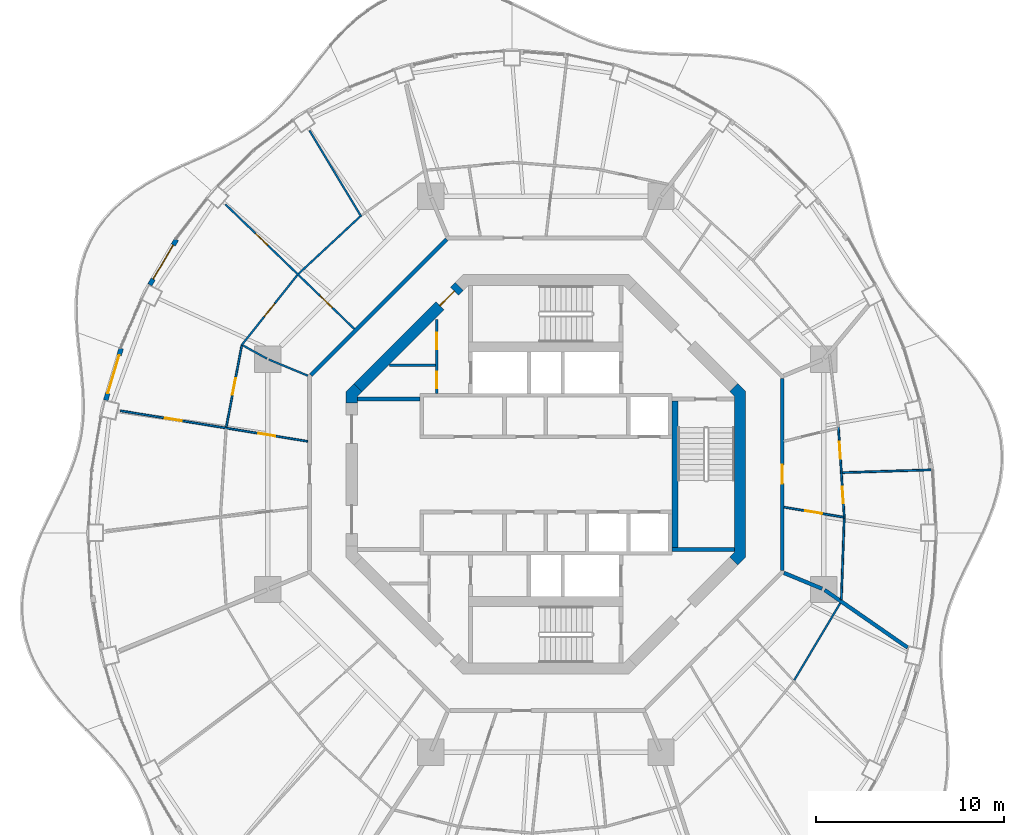
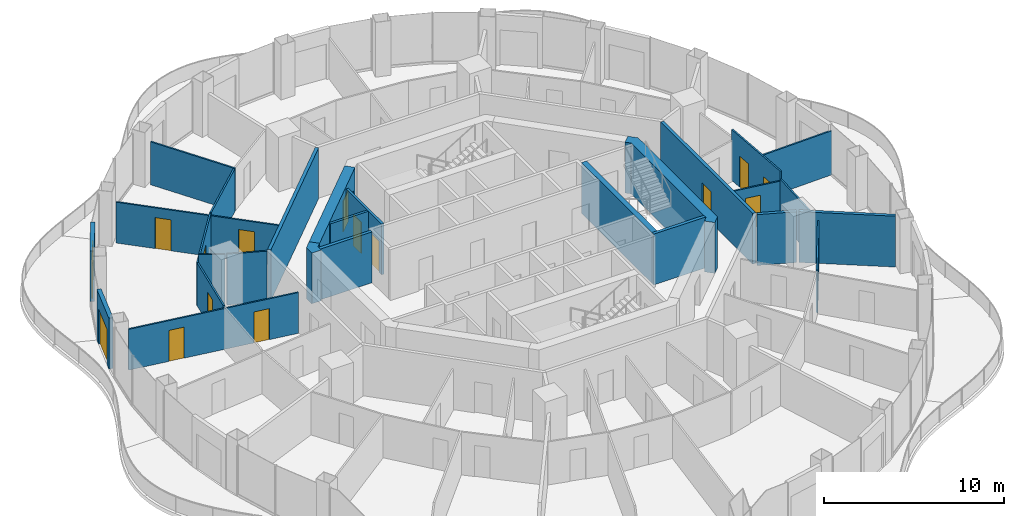
# One storey, part 12 of 17: 27 walls, 15 doors, 15 openings.
"""IFC4 building model written with IfcOpenShell, lengths in metres."""

from ifc_helpers import new_model, si_unit, direction, frame, frame_2d, origin, place, context, subcontext, project, spatial, polyline, rectangle, outline, extrude, material, layer, layer_set, type_object, element, fill, save


model = new_model("IFC4")

# Units and contexts
model_context = context("Model", 3, precision=1e-05, world=origin(), true_north=direction((0.0, 1.0)))
body_context = subcontext(model_context, "Body", "Model", "MODEL_VIEW")
ifc_project = project(units=[si_unit("LENGTHUNIT", "METRE"), si_unit("AREAUNIT", "SQUARE_METRE"), si_unit("VOLUMEUNIT", "CUBIC_METRE"), si_unit("PLANEANGLEUNIT", "RADIAN"), si_unit("MASSUNIT", "GRAM", prefix="KILO")], contexts=[model_context])

# Site, building, storey
site_placement = place(None, origin())
site = spatial("IfcSite", under=ifc_project, at=site_placement, CompositionType="ELEMENT")
building_placement = place(site_placement, origin())
building = spatial("IfcBuilding", under=site, at=building_placement, Name="Nagisa Residences", CompositionType="ELEMENT")
storey_placement = place(building_placement, frame((0.0, 0.0, 280.699951171875)))
storey = spatial("IfcBuildingStorey", under=building, at=storey_placement, Name="L71", CompositionType="ELEMENT", Elevation=280.699951171875)

# Walls
ifc_material_1 = material(Name="Gypsum board on steel studs", Category="steel")
ifc_layer_1 = layer(ifc_material_1, 0.199951171875)
ifc_layer_set_1 = layer_set([ifc_layer_1], Name="Apartment compartment wall EI60 200")
wall_type_1 = type_object("IfcWallType", Name="Apartment compartment wall EI60 200", PredefinedType="PARTITIONING", material=ifc_layer_set_1)
wall_1_placement = place(storey_placement, frame((12.6572265625, -5.24267578125, 0.0), z_axis=(0.0, 0.0, 1.0), x_axis=(0.92383017907, -0.382802560388, 0.0)))
element("IfcWall", 1, at=wall_1_placement, inside=storey, type_object=wall_type_1, Name="wall:L71:u12", PredefinedType="PARTITIONING", context=body_context, shape_type="SweptSolid", body=[
    extrude(rectangle(XDim=2.2001953125, YDim=0.199951171875, at=frame_2d((1.10009765625, 0.0))), origin(), (0.0, 0.0, 1.0), 3.43994140625),
])
wall_2_placement = place(storey_placement, frame((14.8232421875, -6.1513671875, 0.0), z_axis=(0.0, 0.0, 1.0), x_axis=(0.821435065081, -0.570302054928, 0.0)))
element("IfcWall", 2, at=wall_2_placement, inside=storey, type_object=wall_type_1, Name="wall:L71:u13", PredefinedType="PARTITIONING", context=body_context, shape_type="SweptSolid", body=[
    extrude(rectangle(XDim=5.3681640625, YDim=0.199951171875, at=frame_2d((2.68408203125, 0.0))), origin(), (0.0, 0.0, 1.0), 3.43994140625),
])

# Wall, opening, door
ifc_material_2 = material(Name="Gypsum board on steel studs", Category="steel")
ifc_layer_2 = layer(ifc_material_2, 0.199951171875)
ifc_layer_set_2 = layer_set([ifc_layer_2], Name="Apartment entry wall EI60 200")
wall_type_2 = type_object("IfcWallType", Name="Apartment entry wall EI60 200", PredefinedType="PARTITIONING", material=ifc_layer_set_2)
wall_3_placement = place(storey_placement, frame((12.564697265625, -5.1044921875, 0.0), z_axis=(0.0, 0.0, 1.0), x_axis=(0.0, 1.0, 0.0)))
wall_3 = element("IfcWall", 3, at=wall_3_placement, inside=storey, type_object=wall_type_2, Name="wall:L71:u14", PredefinedType="PARTITIONING", context=body_context, shape_type="SweptSolid", body=[
    extrude(rectangle(XDim=10.208984375, YDim=0.199951171875, at=frame_2d((5.1044921875, 0.0))), origin(), (0.0, 0.0, 1.0), 3.43994140625),
])
opening_1_placement = place(wall_3_placement, frame((4.6044921875, 0.0, 0.0)))
opening_1 = element("IfcOpeningElement", 4, at=opening_1_placement, cuts=wall_3, Name="Opening L71-U20", PredefinedType="OPENING", context=body_context, shape_type="SweptSolid", body=[
    extrude(rectangle(XDim=1.0, YDim=2.10009765625, at=frame_2d((0.5, 1.050048828125))), frame((0.0, 0.10986328125, 0.0), z_axis=(0.0, -1.0, 0.0), x_axis=(1.0, 0.0, 0.0)), (0.0, 0.0, 1.0), 0.219970703125),
])
ifc_material_3 = material(Name="Timber fire door set", Category="wood")
door_type_1 = type_object("IfcDoorType", Name="Apartment entry door FD30S 1000x2100", OperationType="NOTDEFINED", PredefinedType="DOOR", material=ifc_material_3)
door_1_placement = place(opening_1_placement, frame((1.0, 0.0, 0.0), x_axis=(-1.0, 0.0, 0.0)))
door_1 = element("IfcDoor", 5, at=door_1_placement, inside=storey, type_object=door_type_1, Name="Entry door, Apartment 71D", OperationType="SINGLE_SWING_LEFT", OverallHeight=2.10009765625, OverallWidth=1.0, PredefinedType="DOOR", context=body_context, shape_type="SweptSolid", body=[
    extrude(rectangle(XDim=1.0, YDim=2.10009765625, at=frame_2d((0.5, 1.050048828125))), frame((0.0, 0.02490234375, 0.0), z_axis=(0.0, -1.0, 0.0), x_axis=(1.0, 0.0, 0.0)), (0.0, 0.0, 1.0), 0.050048828125),
])
fill(opening_1, door_1)

# Wall
wall_4_placement = place(storey_placement, frame((-5.275146484375, 12.494140625, 0.0), z_axis=(0.0, 0.0, 1.0), x_axis=(-0.707106781187, -0.707106781187, 0.0)))
element("IfcWall", 6, at=wall_4_placement, inside=storey, type_object=wall_type_2, Name="wall:L71:u17", PredefinedType="PARTITIONING", context=body_context, shape_type="SweptSolid", body=[
    extrude(rectangle(XDim=10.209228515625, YDim=0.199951171875, at=frame_2d((5.1044921875, 0.0))), origin(), (0.0, 0.0, 1.0), 3.43994140625),
])

# Wall, opening, door
ifc_material_4 = material(Name="Gypsum board on steel studs", Category="steel")
ifc_layer_3 = layer(ifc_material_4, 0.10009765625)
ifc_layer_set_3 = layer_set([ifc_layer_3], Name="Apartment partition 100")
wall_type_3 = type_object("IfcWallType", Name="Apartment partition 100", PredefinedType="PARTITIONING", material=ifc_layer_set_3)
wall_5_placement = place(storey_placement, frame((12.663330078125, -1.75146484375, 0.0), z_axis=(0.0, 0.0, 1.0), x_axis=(0.98626156497, -0.165191178529, 0.0)))
wall_5 = element("IfcWall", 7, at=wall_5_placement, inside=storey, type_object=wall_type_3, Name="wall:L71:u22", PredefinedType="PARTITIONING", context=body_context, shape_type="SweptSolid", body=[
    extrude(rectangle(XDim=3.1982421875, YDim=0.10009765625, at=frame_2d((1.59912109375, 0.0))), origin(), (0.0, 0.0, 1.0), 2.761962890625),
])
opening_2_placement = place(wall_5_placement, frame((1.149169921875, 0.0, 0.0)))
opening_2 = element("IfcOpeningElement", 8, at=opening_2_placement, cuts=wall_5, Name="Opening L71-U21", PredefinedType="OPENING", context=body_context, shape_type="SweptSolid", body=[
    extrude(rectangle(XDim=0.89990234375, YDim=2.10009765625, at=frame_2d((0.449951171875, 1.050048828125))), frame((0.0, 0.06005859375, 0.0), z_axis=(0.0, -1.0, 0.0), x_axis=(1.0, 0.0, 0.0)), (0.0, 0.0, 1.0), 0.1201171875),
])
ifc_material_5 = material(Name="Timber door set", Category="wood")
door_type_2 = type_object("IfcDoorType", Name="Apartment door 900x2100", OperationType="NOTDEFINED", PredefinedType="DOOR", material=ifc_material_5)
door_2_placement = place(opening_2_placement, frame((0.89990234375, 0.0, 0.0), x_axis=(-1.0, 0.0, 0.0)))
door_2 = element("IfcDoor", 9, at=door_2_placement, inside=storey, type_object=door_type_2, Name="Door to family bathroom, Apartment 71D", OperationType="SINGLE_SWING_RIGHT", OverallHeight=2.10009765625, OverallWidth=0.89990234375, PredefinedType="DOOR", context=body_context, shape_type="SweptSolid", body=[
    extrude(rectangle(XDim=0.89990234375, YDim=2.10009765625, at=frame_2d((0.449951171875, 1.050048828125))), frame((0.0, 0.02490234375, 0.0), z_axis=(0.0, -1.0, 0.0), x_axis=(1.0, 0.0, 0.0)), (0.0, 0.0, 1.0), 0.050048828125),
])
fill(opening_2, door_2)

# Wall, openings, doors
wall_6_placement = place(storey_placement, frame((15.8701171875, -2.337890625, 0.0), z_axis=(0.0, 0.0, 1.0), x_axis=(-0.064797294757, 0.997898447034, 0.0)))
wall_6 = element("IfcWall", 10, at=wall_6_placement, inside=storey, type_object=wall_type_3, Name="wall:L71:u23", PredefinedType="PARTITIONING", context=body_context, shape_type="SweptSolid", body=[
    extrude(rectangle(XDim=4.856689453125, YDim=0.10009765625, at=frame_2d((2.42822265625, 0.0))), origin(), (0.0, 0.0, 1.0), 3.43994140625),
])
opening_3_placement = place(wall_6_placement, frame((0.789306640625, 0.0, 0.0)))
opening_3 = element("IfcOpeningElement", 11, at=opening_3_placement, cuts=wall_6, Name="Opening L71-U23", PredefinedType="OPENING", context=body_context, shape_type="SweptSolid", body=[
    extrude(rectangle(XDim=0.89990234375, YDim=2.10009765625, at=frame_2d((0.449951171875, 1.050048828125))), frame((0.0, 0.06005859375, 0.0), z_axis=(0.0, -1.0, 0.0), x_axis=(1.0, 0.0, 0.0)), (0.0, 0.0, 1.0), 0.1201171875),
])
opening_4_placement = place(wall_6_placement, frame((3.16748046875, 0.0, 0.0)))
opening_4 = element("IfcOpeningElement", 12, at=opening_4_placement, cuts=wall_6, Name="Opening L71-U24", PredefinedType="OPENING", context=body_context, shape_type="SweptSolid", body=[
    extrude(rectangle(XDim=0.89990234375, YDim=2.10009765625, at=frame_2d((0.449951171875, 1.050048828125))), frame((0.0, 0.06005859375, 0.0), z_axis=(0.0, -1.0, 0.0), x_axis=(1.0, 0.0, 0.0)), (0.0, 0.0, 1.0), 0.1201171875),
])
door_3_placement = place(opening_3_placement, frame((0.89990234375, 0.0, 0.0), x_axis=(-1.0, 0.0, 0.0)))
door_3 = element("IfcDoor", 13, at=door_3_placement, inside=storey, type_object=door_type_2, Name="Door to kitchen, Apartment 71D", OperationType="SINGLE_SWING_RIGHT", OverallHeight=2.10009765625, OverallWidth=0.89990234375, PredefinedType="DOOR", context=body_context, shape_type="SweptSolid", body=[
    extrude(rectangle(XDim=0.89990234375, YDim=2.10009765625, at=frame_2d((0.449951171875, 1.050048828125))), frame((0.0, 0.02490234375, 0.0), z_axis=(0.0, -1.0, 0.0), x_axis=(1.0, 0.0, 0.0)), (0.0, 0.0, 1.0), 0.050048828125),
])
fill(opening_3, door_3)
door_4_placement = place(opening_4_placement, frame((0.89990234375, 0.0, 0.0), x_axis=(-1.0, 0.0, 0.0)))
door_4 = element("IfcDoor", 14, at=door_4_placement, inside=storey, type_object=door_type_2, Name="Door to master bedroom, Apartment 71D", OperationType="SINGLE_SWING_LEFT", OverallHeight=2.10009765625, OverallWidth=0.89990234375, PredefinedType="DOOR", context=body_context, shape_type="SweptSolid", body=[
    extrude(rectangle(XDim=0.89990234375, YDim=2.10009765625, at=frame_2d((0.449951171875, 1.050048828125))), frame((0.0, 0.02490234375, 0.0), z_axis=(0.0, -1.0, 0.0), x_axis=(1.0, 0.0, 0.0)), (0.0, 0.0, 1.0), 0.050048828125),
])
fill(opening_4, door_4)

# Walls
wall_7_placement = place(storey_placement, frame((15.864990234375, -2.337890625, 0.0), z_axis=(0.0, 0.0, 1.0), x_axis=(-0.035864509465, -0.999356661538, 0.0)))
element("IfcWall", 15, at=wall_7_placement, inside=storey, type_object=wall_type_3, Name="wall:L71:u24", PredefinedType="PARTITIONING", context=body_context, shape_type="SweptSolid", body=[
    extrude(rectangle(XDim=4.329345703125, YDim=0.10009765625, at=frame_2d((2.16455078125, 0.0))), origin(), (0.0, 0.0, 1.0), 2.905029296875),
])
wall_8_placement = place(storey_placement, frame((15.7626953125, 0.0869140625, 0.0), z_axis=(0.0, 0.0, 1.0), x_axis=(0.999492034598, 0.03186962151, 0.0)))
element("IfcWall", 16, at=wall_8_placement, inside=storey, type_object=wall_type_3, Name="wall:L71:u25", PredefinedType="PARTITIONING", context=body_context, shape_type="SweptSolid", body=[
    extrude(rectangle(XDim=4.826171875, YDim=0.10009765625, at=frame_2d((2.4130859375, 0.0))), origin(), (0.0, 0.0, 1.0), 2.983154296875),
])
wall_9_placement = place(storey_placement, frame((-9.81298828125, 13.693359375, 0.0), z_axis=(0.0, 0.0, 1.0), x_axis=(-0.515509511815, 0.856883856324, 0.0)))
element("IfcWall", 17, at=wall_9_placement, inside=storey, type_object=wall_type_3, Name="wall:L71:u39", PredefinedType="PARTITIONING", context=body_context, shape_type="SweptSolid", body=[
    extrude(rectangle(XDim=5.345947265625, YDim=0.10009765625, at=frame_2d((2.6728515625, 0.0))), origin(), (0.0, 0.0, 1.0), 2.905029296875),
])
wall_10_placement = place(storey_placement, frame((-9.87548828125, 13.702392578125, 0.0), z_axis=(0.0, 0.0, 1.0), x_axis=(-0.732618266441, -0.680639754699, 0.0)))
element("IfcWall", 18, at=wall_10_placement, inside=storey, type_object=wall_type_3, Name="wall:L71:u40", PredefinedType="PARTITIONING", context=body_context, shape_type="SweptSolid", body=[
    extrude(rectangle(XDim=4.466796875, YDim=0.10009765625, at=frame_2d((2.2333984375, 0.0))), origin(), (0.0, 0.0, 1.0), 2.905029296875),
])

# Wall, openings, doors
wall_11_placement = place(storey_placement, frame((-10.183349609375, 7.727294921875, 0.0), z_axis=(0.0, 0.0, 1.0), x_axis=(-0.719063433856, 0.694944442449, 0.0)))
wall_11 = element("IfcWall", 19, at=wall_11_placement, inside=storey, type_object=wall_type_3, Name="wall:L71:u41", PredefinedType="PARTITIONING", context=body_context, shape_type="SweptSolid", body=[
    extrude(rectangle(XDim=9.53515625, YDim=0.10009765625, at=frame_2d((4.767578125, 0.0))), origin(), (0.0, 0.0, 1.0), 2.761962890625),
])
opening_5_placement = place(wall_11_placement, frame((6.404541015625, 0.0, 0.0)))
opening_5 = element("IfcOpeningElement", 20, at=opening_5_placement, cuts=wall_11, Name="Opening L71-U42", PredefinedType="OPENING", context=body_context, shape_type="SweptSolid", body=[
    extrude(rectangle(XDim=0.89990234375, YDim=2.10009765625, at=frame_2d((0.449951171875, 1.050048828125))), frame((0.0, 0.06005859375, 0.0), z_axis=(0.0, -1.0, 0.0), x_axis=(1.0, 0.0, 0.0)), (0.0, 0.0, 1.0), 0.1201171875),
])
opening_6_placement = place(wall_11_placement, frame((1.636962890625, 0.0, 0.0)))
opening_6 = element("IfcOpeningElement", 21, at=opening_6_placement, cuts=wall_11, Name="Opening L71-U43", PredefinedType="OPENING", context=body_context, shape_type="SweptSolid", body=[
    extrude(rectangle(XDim=0.89990234375, YDim=2.10009765625, at=frame_2d((0.449951171875, 1.050048828125))), frame((0.0, 0.06005859375, 0.0), z_axis=(0.0, -1.0, 0.0), x_axis=(1.0, 0.0, 0.0)), (0.0, 0.0, 1.0), 0.1201171875),
])
door_5_placement = place(opening_5_placement, frame((0.89990234375, 0.0, 0.0), x_axis=(-1.0, 0.0, 0.0)))
door_5 = element("IfcDoor", 22, at=door_5_placement, inside=storey, type_object=door_type_2, Name="Door to master bedroom, Apartment 71G", OperationType="SINGLE_SWING_LEFT", OverallHeight=2.10009765625, OverallWidth=0.89990234375, PredefinedType="DOOR", context=body_context, shape_type="SweptSolid", body=[
    extrude(rectangle(XDim=0.89990234375, YDim=2.10009765625, at=frame_2d((0.449951171875, 1.050048828125))), frame((0.0, 0.02490234375, 0.0), z_axis=(0.0, -1.0, 0.0), x_axis=(1.0, 0.0, 0.0)), (0.0, 0.0, 1.0), 0.050048828125),
])
fill(opening_5, door_5)
door_6_placement = place(opening_6_placement, frame((0.89990234375, 0.0, 0.0), x_axis=(-1.0, 0.0, 0.0)))
door_6 = element("IfcDoor", 23, at=door_6_placement, inside=storey, type_object=door_type_2, Name="Door to store, Apartment 71G", OperationType="SINGLE_SWING_RIGHT", OverallHeight=2.10009765625, OverallWidth=0.89990234375, PredefinedType="DOOR", context=body_context, shape_type="SweptSolid", body=[
    extrude(rectangle(XDim=0.89990234375, YDim=2.10009765625, at=frame_2d((0.449951171875, 1.050048828125))), frame((0.0, 0.02490234375, 0.0), z_axis=(0.0, -1.0, 0.0), x_axis=(1.0, 0.0, 0.0)), (0.0, 0.0, 1.0), 0.050048828125),
])
fill(opening_6, door_6)

# Wall, opening, door
wall_12_placement = place(storey_placement, frame((-13.2158203125, 10.5888671875, 0.0), z_axis=(0.0, 0.0, 1.0), x_axis=(-0.622272178674, -0.782800955319, 0.0)))
wall_12 = element("IfcWall", 24, at=wall_12_placement, inside=storey, type_object=wall_type_3, Name="wall:L71:u42", PredefinedType="PARTITIONING", context=body_context, shape_type="SweptSolid", body=[
    extrude(rectangle(XDim=4.7861328125, YDim=0.10009765625, at=frame_2d((2.39306640625, 0.0))), origin(), (0.0, 0.0, 1.0), 2.905029296875),
])
opening_7_placement = place(wall_12_placement, frame((1.918212890625, 0.0, 0.0)))
opening_7 = element("IfcOpeningElement", 25, at=opening_7_placement, cuts=wall_12, Name="Opening L71-U41", PredefinedType="OPENING", context=body_context, shape_type="SweptSolid", body=[
    extrude(rectangle(XDim=0.89990234375, YDim=2.10009765625, at=frame_2d((0.449951171875, 1.050048828125))), frame((0.0, 0.06005859375, 0.0), z_axis=(0.0, -1.0, 0.0), x_axis=(1.0, 0.0, 0.0)), (0.0, 0.0, 1.0), 0.1201171875),
])
door_7_placement = place(opening_7_placement, origin())
door_7 = element("IfcDoor", 26, at=door_7_placement, inside=storey, type_object=door_type_2, Name="Door to laundry, Apartment 71G", OperationType="SINGLE_SWING_LEFT", OverallHeight=2.10009765625, OverallWidth=0.89990234375, PredefinedType="DOOR", context=body_context, shape_type="SweptSolid", body=[
    extrude(rectangle(XDim=0.89990234375, YDim=2.10009765625, at=frame_2d((0.449951171875, 1.050048828125))), frame((0.0, 0.02490234375, 0.0), z_axis=(0.0, -1.0, 0.0), x_axis=(1.0, 0.0, 0.0)), (0.0, 0.0, 1.0), 0.050048828125),
])
fill(opening_7, door_7)

# Walls
wall_13_placement = place(storey_placement, frame((-12.6572265625, 5.24267578125, 0.0), z_axis=(0.0, 0.0, 1.0), x_axis=(-0.923864733477, 0.382719158442, 0.0)))
element("IfcWall", 27, at=wall_13_placement, inside=storey, type_object=wall_type_3, Name="wall:L71:u43", PredefinedType="PARTITIONING", context=body_context, shape_type="SweptSolid", body=[
    extrude(rectangle(XDim=2.25, YDim=0.10009765625, at=frame_2d((1.125, 0.0))), origin(), (0.0, 0.0, 1.0), 3.43994140625),
])
wall_14_placement = place(storey_placement, frame((-14.826171875, 6.14697265625, 0.0), z_axis=(0.0, 0.0, 1.0), x_axis=(-0.876411496923, 0.481562963755, 0.0)))
element("IfcWall", 28, at=wall_14_placement, inside=storey, type_object=wall_type_3, Name="wall:L71:u44", PredefinedType="PARTITIONING", context=body_context, shape_type="SweptSolid", body=[
    extrude(rectangle(XDim=1.475341796875, YDim=0.10009765625, at=frame_2d((0.73779296875, 0.0))), origin(), (0.0, 0.0, 1.0), 3.43994140625),
])

# Wall, opening, door
wall_15_placement = place(storey_placement, frame((-16.172119140625, 6.832275390625, 0.0), z_axis=(0.0, 0.0, 1.0), x_axis=(-0.185671645069, -0.982611846162, 0.0)))
wall_15 = element("IfcWall", 29, at=wall_15_placement, inside=storey, type_object=wall_type_3, Name="wall:L71:u45", PredefinedType="PARTITIONING", context=body_context, shape_type="SweptSolid", body=[
    extrude(rectangle(XDim=4.40087890625, YDim=0.10009765625, at=frame_2d((2.200439453125, 0.0))), origin(), (0.0, 0.0, 1.0), 2.905029296875),
])
opening_8_placement = place(wall_15_placement, frame((1.75048828125, 0.0, 0.0)))
opening_8 = element("IfcOpeningElement", 30, at=opening_8_placement, cuts=wall_15, Name="Opening L71-U38", PredefinedType="OPENING", context=body_context, shape_type="SweptSolid", body=[
    extrude(rectangle(XDim=0.89990234375, YDim=2.10009765625, at=frame_2d((0.449951171875, 1.050048828125))), frame((0.0, 0.06005859375, 0.0), z_axis=(0.0, -1.0, 0.0), x_axis=(1.0, 0.0, 0.0)), (0.0, 0.0, 1.0), 0.1201171875),
])
door_8_placement = place(opening_8_placement, frame((0.89990234375, 0.0, 0.0), x_axis=(-1.0, 0.0, 0.0)))
door_8 = element("IfcDoor", 31, at=door_8_placement, inside=storey, type_object=door_type_2, Name="Door to living room, Apartment 71G", OperationType="SINGLE_SWING_LEFT", OverallHeight=2.10009765625, OverallWidth=0.89990234375, PredefinedType="DOOR", context=body_context, shape_type="SweptSolid", body=[
    extrude(rectangle(XDim=0.89990234375, YDim=2.10009765625, at=frame_2d((0.449951171875, 1.050048828125))), frame((0.0, 0.02490234375, 0.0), z_axis=(0.0, -1.0, 0.0), x_axis=(1.0, 0.0, 0.0)), (0.0, 0.0, 1.0), 0.050048828125),
])
fill(opening_8, door_8)

# Wall, openings, doors
wall_16_placement = place(storey_placement, frame((-12.66357421875, 1.7509765625, 0.0), z_axis=(0.0, 0.0, 1.0), x_axis=(-0.986935394566, 0.161116501183, 0.0)))
wall_16 = element("IfcWall", 32, at=wall_16_placement, inside=storey, type_object=wall_type_3, Name="wall:L71:u46", PredefinedType="PARTITIONING", context=body_context, shape_type="SweptSolid", body=[
    extrude(rectangle(XDim=10.0859375, YDim=0.10009765625, at=frame_2d((5.04296875, 0.0))), origin(), (0.0, 0.0, 1.0), 2.761962890625),
])
opening_9_placement = place(wall_16_placement, frame((1.74609375, 0.0, 0.0)))
opening_9 = element("IfcOpeningElement", 33, at=opening_9_placement, cuts=wall_16, Name="Opening L71-U36", PredefinedType="OPENING", context=body_context, shape_type="SweptSolid", body=[
    extrude(rectangle(XDim=0.89990234375, YDim=2.10009765625, at=frame_2d((0.449951171875, 1.050048828125))), frame((0.0, 0.06005859375, 0.0), z_axis=(0.0, -1.0, 0.0), x_axis=(1.0, 0.0, 0.0)), (0.0, 0.0, 1.0), 0.1201171875),
])
opening_10_placement = place(wall_16_placement, frame((6.789306640625, 0.0, 0.0)))
opening_10 = element("IfcOpeningElement", 34, at=opening_10_placement, cuts=wall_16, Name="Opening L71-U39", PredefinedType="OPENING", context=body_context, shape_type="SweptSolid", body=[
    extrude(rectangle(XDim=0.89990234375, YDim=2.10009765625, at=frame_2d((0.449951171875, 1.050048828125))), frame((0.0, 0.06005859375, 0.0), z_axis=(0.0, -1.0, 0.0), x_axis=(1.0, 0.0, 0.0)), (0.0, 0.0, 1.0), 0.1201171875),
])
door_9_placement = place(opening_9_placement, frame((0.89990234375, 0.0, 0.0), x_axis=(-1.0, 0.0, 0.0)))
door_9 = element("IfcDoor", 35, at=door_9_placement, inside=storey, type_object=door_type_2, Name="Door to laundry, Apartment 71G", OperationType="SINGLE_SWING_LEFT", OverallHeight=2.10009765625, OverallWidth=0.89990234375, PredefinedType="DOOR", context=body_context, shape_type="SweptSolid", body=[
    extrude(rectangle(XDim=0.89990234375, YDim=2.10009765625, at=frame_2d((0.449951171875, 1.050048828125))), frame((0.0, 0.02490234375, 0.0), z_axis=(0.0, -1.0, 0.0), x_axis=(1.0, 0.0, 0.0)), (0.0, 0.0, 1.0), 0.050048828125),
])
fill(opening_9, door_9)
door_10_placement = place(opening_10_placement, origin())
door_10 = element("IfcDoor", 36, at=door_10_placement, inside=storey, type_object=door_type_2, Name="Door to tatami room, Apartment 71G", OperationType="SINGLE_SWING_LEFT", OverallHeight=2.10009765625, OverallWidth=0.89990234375, PredefinedType="DOOR", context=body_context, shape_type="SweptSolid", body=[
    extrude(rectangle(XDim=0.89990234375, YDim=2.10009765625, at=frame_2d((0.449951171875, 1.050048828125))), frame((0.0, 0.02490234375, 0.0), z_axis=(0.0, -1.0, 0.0), x_axis=(1.0, 0.0, 0.0)), (0.0, 0.0, 1.0), 0.050048828125),
])
fill(opening_10, door_10)

# Wall
wall_17_placement = place(storey_placement, frame((13.208251953125, -10.947021484375, 0.0), z_axis=(0.0, 0.0, 1.0), x_axis=(0.512726452516, 0.858552028063, 0.0)))
element("IfcWall", 37, at=wall_17_placement, inside=storey, type_object=wall_type_3, Name="wall:L71:u68", PredefinedType="PARTITIONING", context=body_context, shape_type="SweptSolid", body=[
    extrude(rectangle(XDim=4.771728515625, YDim=0.10009765625, at=frame_2d((2.3857421875, 0.0))), origin(), (0.0, 0.0, 1.0), 2.905029296875),
])

# Wall, opening, door
ifc_material_6 = material(Name="Precast concrete C40/50", Category="concrete")
ifc_layer_4 = layer(ifc_material_6, 0.25)
ifc_layer_set_4 = layer_set([ifc_layer_4], Name="BALCONY DOOR WALL 250")
wall_type_4 = type_object("IfcWallType", Name="BALCONY DOOR WALL 250", PredefinedType="SOLIDWALL", material=ifc_layer_set_4)
wall_18_placement = place(storey_placement, frame((-21.053955078125, 10.0771484375, 0.0), z_axis=(0.0, 0.0, 1.0), x_axis=(0.506371364425, 0.862315511452, 0.0)))
wall_18 = element("IfcWall", 38, at=wall_18_placement, inside=storey, type_object=wall_type_4, Name="wall:L71:bay19", PredefinedType="SOLIDWALL", context=body_context, shape_type="SweptSolid", body=[
    extrude(rectangle(XDim=2.79638671875, YDim=0.25, at=frame_2d((1.398193359375, 0.0))), origin(), (0.0, 0.0, 1.0), 3.43994140625),
])
opening_11_placement = place(wall_18_placement, frame((0.34814453125, 0.0, 0.0)))
opening_11 = element("IfcOpeningElement", 39, at=opening_11_placement, cuts=wall_18, Name="Opening BD-L71-07", PredefinedType="OPENING", context=body_context, shape_type="SweptSolid", body=[
    extrude(rectangle(XDim=2.10009765625, YDim=2.39990234375, at=frame_2d((1.050048828125, 1.199951171875))), frame((0.0, 0.135009765625, 0.0), z_axis=(0.0, -1.0, 0.0), x_axis=(1.0, 0.0, 0.0)), (0.0, 0.0, 1.0), 0.27001953125),
])
ifc_material_7 = material(Name="Aluminium and clear glass", Category="aluminium")
door_type_3 = type_object("IfcDoorType", Name="BALCONY SLIDING DOOR 2100x2400", OperationType="SLIDING_TO_LEFT", PredefinedType="DOOR", material=ifc_material_7)
door_11_placement = place(opening_11_placement, origin())
door_11 = element("IfcDoor", 40, at=door_11_placement, inside=storey, type_object=door_type_3, Name="door:L71:bay19", OperationType="SLIDING_TO_LEFT", OverallHeight=2.39990234375, OverallWidth=2.10009765625, PredefinedType="DOOR", context=body_context, shape_type="SweptSolid", body=[
    extrude(rectangle(XDim=2.10009765625, YDim=2.39990234375, at=frame_2d((1.050048828125, 1.199951171875))), frame((0.0, 0.02490234375, 0.0), z_axis=(0.0, -1.0, 0.0), x_axis=(1.0, 0.0, 0.0)), (0.0, 0.0, 1.0), 0.050048828125),
])
fill(opening_11, door_11)

wall_19_placement = place(storey_placement, frame((-23.40087890625, 3.939697265625, 0.0), z_axis=(0.0, 0.0, 1.0), x_axis=(0.285876209024, 0.9582665564, 0.0)))
wall_19 = element("IfcWall", 41, at=wall_19_placement, inside=storey, type_object=wall_type_4, Name="wall:L71:bay21", PredefinedType="SOLIDWALL", context=body_context, shape_type="SweptSolid", body=[
    extrude(rectangle(XDim=2.877197265625, YDim=0.25, at=frame_2d((1.4384765625, 0.0))), origin(), (0.0, 0.0, 1.0), 3.43994140625),
])
opening_12_placement = place(wall_19_placement, frame((0.388671875, 0.0, 0.0)))
opening_12 = element("IfcOpeningElement", 42, at=opening_12_placement, cuts=wall_19, Name="Opening BD-L71-08", PredefinedType="OPENING", context=body_context, shape_type="SweptSolid", body=[
    extrude(rectangle(XDim=2.10009765625, YDim=2.39990234375, at=frame_2d((1.050048828125, 1.199951171875))), frame((0.0, 0.135009765625, 0.0), z_axis=(0.0, -1.0, 0.0), x_axis=(1.0, 0.0, 0.0)), (0.0, 0.0, 1.0), 0.27001953125),
])
door_12_placement = place(opening_12_placement, origin())
door_12 = element("IfcDoor", 43, at=door_12_placement, inside=storey, type_object=door_type_3, Name="door:L71:bay21", OperationType="SLIDING_TO_LEFT", OverallHeight=2.39990234375, OverallWidth=2.10009765625, PredefinedType="DOOR", context=body_context, shape_type="SweptSolid", body=[
    extrude(rectangle(XDim=2.10009765625, YDim=2.39990234375, at=frame_2d((1.050048828125, 1.199951171875))), frame((0.0, 0.02490234375, 0.0), z_axis=(0.0, -1.0, 0.0), x_axis=(1.0, 0.0, 0.0)), (0.0, 0.0, 1.0), 0.050048828125),
])
fill(opening_12, door_12)

# Wall, openings, doors
ifc_material_8 = material(Name="Gypsum board on steel studs", Category="steel")
ifc_layer_5 = layer(ifc_material_8, 0.14990234375)
ifc_layer_set_5 = layer_set([ifc_layer_5], Name="Core partition 150")
wall_type_5 = type_object("IfcWallType", Name="Core partition 150", PredefinedType="PARTITIONING", material=ifc_layer_set_5)
wall_20_placement = place(storey_placement, frame((-5.800048828125, 4.300048828125, 0.0), z_axis=(0.0, 0.0, 1.0), x_axis=(0.0, 1.0, 0.0)))
wall_20 = element("IfcWall", 44, at=wall_20_placement, inside=storey, type_object=wall_type_5, Name="wall:L71:NWp", PredefinedType="PARTITIONING", context=body_context, shape_type="SweptSolid", body=[
    extrude(rectangle(XDim=3.927001953125, YDim=0.14990234375, at=frame_2d((1.96337890625, 0.0))), origin(), (0.0, 0.0, 1.0), 3.43994140625),
])
opening_13_placement = place(wall_20_placement, frame((0.262451171875, 0.0, 0.0)))
opening_13 = element("IfcOpeningElement", 45, at=opening_13_placement, cuts=wall_20, Name="Opening L71-C10", PredefinedType="OPENING", context=body_context, shape_type="SweptSolid", body=[
    extrude(rectangle(XDim=0.89990234375, YDim=2.10009765625, at=frame_2d((0.449951171875, 1.050048828125))), frame((0.0, 0.0849609375, 0.0), z_axis=(0.0, -1.0, 0.0), x_axis=(1.0, 0.0, 0.0)), (0.0, 0.0, 1.0), 0.169921875),
])
opening_14_placement = place(wall_20_placement, frame((2.33837890625, 0.0, 0.0)))
opening_14 = element("IfcOpeningElement", 46, at=opening_14_placement, cuts=wall_20, Name="Opening L71-C11", PredefinedType="OPENING", context=body_context, shape_type="SweptSolid", body=[
    extrude(rectangle(XDim=0.89990234375, YDim=2.10009765625, at=frame_2d((0.449951171875, 1.050048828125))), frame((0.0, 0.0849609375, 0.0), z_axis=(0.0, -1.0, 0.0), x_axis=(1.0, 0.0, 0.0)), (0.0, 0.0, 1.0), 0.169921875),
])
ifc_material_9 = material(Name="Steel fire door", Category="steel")
door_type_4 = type_object("IfcDoorType", Name="Fire door EI30 900x2100 single swing", OperationType="NOTDEFINED", PredefinedType="DOOR", material=ifc_material_9)
door_13_placement = place(opening_13_placement, origin())
door_13 = element("IfcDoor", 47, at=door_13_placement, inside=storey, type_object=door_type_4, Name="Package room door L71", OperationType="SINGLE_SWING_LEFT", OverallHeight=2.10009765625, OverallWidth=0.89990234375, PredefinedType="DOOR", context=body_context, shape_type="SweptSolid", body=[
    extrude(rectangle(XDim=0.89990234375, YDim=2.10009765625, at=frame_2d((0.449951171875, 1.050048828125))), frame((0.0, 0.02490234375, 0.0), z_axis=(0.0, -1.0, 0.0), x_axis=(1.0, 0.0, 0.0)), (0.0, 0.0, 1.0), 0.050048828125),
])
fill(opening_13, door_13)
door_14_placement = place(opening_14_placement, origin())
door_14 = element("IfcDoor", 48, at=door_14_placement, inside=storey, type_object=door_type_4, Name="Valet store door L71", OperationType="SINGLE_SWING_LEFT", OverallHeight=2.10009765625, OverallWidth=0.89990234375, PredefinedType="DOOR", context=body_context, shape_type="SweptSolid", body=[
    extrude(rectangle(XDim=0.89990234375, YDim=2.10009765625, at=frame_2d((0.449951171875, 1.050048828125))), frame((0.0, 0.02490234375, 0.0), z_axis=(0.0, -1.0, 0.0), x_axis=(1.0, 0.0, 0.0)), (0.0, 0.0, 1.0), 0.050048828125),
])
fill(opening_14, door_14)

# Walls
wall_21_placement = place(storey_placement, frame((-8.301025390625, 5.800048828125, 0.0), z_axis=(0.0, 0.0, 1.0), x_axis=(1.0, 0.0, 0.0)))
element("IfcWall", 49, at=wall_21_placement, inside=storey, type_object=wall_type_5, Name="wall:L71:NWq", PredefinedType="PARTITIONING", context=body_context, shape_type="SweptSolid", body=[
    extrude(rectangle(XDim=2.426025390625, YDim=0.14990234375, at=frame_2d((1.212890625, 0.0))), origin(), (0.0, 0.0, 1.0), 3.43994140625),
])
ifc_material_10 = material(Name="Gypsum board on steel studs", Category="steel")
ifc_layer_6 = layer(ifc_material_10, 0.199951171875)
ifc_layer_set_6 = layer_set([ifc_layer_6], Name="Core partition 200")
wall_type_6 = type_object("IfcWallType", Name="Core partition 200", PredefinedType="PARTITIONING", material=ifc_layer_set_6)
wall_22_placement = place(storey_placement, frame((-10.024658203125, 4.0, 0.0), z_axis=(0.0, 0.0, 1.0), x_axis=(1.0, 0.0, 0.0)))
element("IfcWall", 50, at=wall_22_placement, inside=storey, type_object=wall_type_6, Name="wall:L71:PNW", PredefinedType="PARTITIONING", context=body_context, shape_type="SweptSolid", body=[
    extrude(rectangle(XDim=3.32470703125, YDim=0.199951171875, at=frame_2d((1.662353515625, 0.0))), origin(), (0.0, 0.0, 1.0), 3.43994140625),
])

# Wall, opening, door
ifc_material_11 = material(Name="Concrete C60", Category="concrete")
ifc_layer_7 = layer(ifc_material_11, 0.60009765625)
ifc_layer_set_7 = layer_set([ifc_layer_7], Name="Core shear wall 600")
wall_type_7 = type_object("IfcWallType", Name="Core shear wall 600", PredefinedType="SHEAR", material=ifc_layer_set_7)
wall_23_placement = place(storey_placement, frame((-4.613037109375, 9.98828125, 0.0), z_axis=(0.0, 0.0, 1.0), x_axis=(-0.707106781187, -0.707106781187, 0.0)))
wall_23 = element("IfcWall", 51, at=wall_23_placement, inside=storey, type_object=wall_type_7, Name="wall:L71:core:flat3", PredefinedType="SHEAR", context=body_context, shape_type="SweptSolid", body=[
    extrude(rectangle(XDim=7.601806640625, YDim=0.60009765625, at=frame_2d((3.80078125, 0.0))), origin(), (0.0, 0.0, 1.0), 3.43994140625),
])
opening_15_placement = place(wall_23_placement, frame((0.350830078125, 0.0, 0.0)))
opening_15 = element("IfcOpeningElement", 52, at=opening_15_placement, cuts=wall_23, Name="Opening L71-C25", PredefinedType="OPENING", context=body_context, shape_type="SweptSolid", body=[
    extrude(rectangle(XDim=1.10009765625, YDim=2.10009765625, at=frame_2d((0.550048828125, 1.050048828125))), frame((0.0, 0.31005859375, 0.0), z_axis=(0.0, -1.0, 0.0), x_axis=(1.0, 0.0, 0.0)), (0.0, 0.0, 1.0), 0.6201171875),
])
ifc_material_12 = material(Name="Steel fire door", Category="steel")
door_type_5 = type_object("IfcDoorType", Name="Fire door EI60 1100x2100 single swing", OperationType="NOTDEFINED", PredefinedType="DOOR", material=ifc_material_12)
door_15_placement = place(opening_15_placement, origin())
door_15 = element("IfcDoor", 53, at=door_15_placement, inside=storey, type_object=door_type_5, Name="Service lobby door L71", OperationType="SINGLE_SWING_RIGHT", OverallHeight=2.10009765625, OverallWidth=1.10009765625, PredefinedType="DOOR", context=body_context, shape_type="SweptSolid", body=[
    extrude(rectangle(XDim=1.10009765625, YDim=2.10009765625, at=frame_2d((0.550048828125, 1.050048828125))), frame((0.0, 0.02490234375, 0.0), z_axis=(0.0, -1.0, 0.0), x_axis=(1.0, 0.0, 0.0)), (0.0, 0.0, 1.0), 0.050048828125),
])
fill(opening_15, door_15)

# Walls
wall_24_placement = place(storey_placement, origin())
element("IfcWall", 54, at=wall_24_placement, inside=storey, type_object=wall_type_7, Name="wall:L71:core:pier3", PredefinedType="SHEAR", context=body_context, shape_type="SweptSolid", body=[
    extrude(outline(polyline([(-10.200439453125, 4.8251953125), (-9.776123046875, 4.40087890625), (-10.024658203125, 4.15234375), (-10.024658203125, 3.80078125), (-10.62451171875, 3.80078125), (-10.62451171875, 4.40087890625), (-10.200439453125, 4.8251953125)])), origin(), (0.0, 0.0, 1.0), 3.43994140625),
])
wall_25_placement = place(storey_placement, origin())
element("IfcWall", 55, at=wall_25_placement, inside=storey, type_object=wall_type_7, Name="wall:L71:core:flat0", PredefinedType="SHEAR", context=body_context, shape_type="SweptSolid", body=[
    extrude(outline(polyline([(9.776123046875, -4.40087890625), (10.024658203125, -4.15234375), (10.024658203125, -3.801025390625), (10.024658203125, 4.15234375), (9.776123046875, 4.40087890625), (10.200439453125, 4.8251953125), (10.62451171875, 4.40087890625), (10.62451171875, -4.40087890625), (10.200439453125, -4.8251953125), (9.776123046875, -4.40087890625)])), origin(), (0.0, 0.0, 1.0), 3.43994140625),
])
ifc_material_13 = material(Name="Concrete C60", Category="concrete")
ifc_layer_8 = layer(ifc_material_13, 0.199951171875)
ifc_layer_set_8 = layer_set([ifc_layer_8], Name="Stair enclosure wall 200")
wall_type_8 = type_object("IfcWallType", Name="Stair enclosure wall 200", PredefinedType="SOLIDWALL", material=ifc_layer_set_8)
wall_26_placement = place(storey_placement, origin())
element("IfcWall", 56, at=wall_26_placement, inside=storey, type_object=wall_type_8, Name="wall:L71:SE_w", PredefinedType="SOLIDWALL", context=body_context, shape_type="SweptSolid", body=[
    extrude(outline(polyline([(7.024658203125, -3.89990234375), (6.699951171875, -3.89990234375), (6.699951171875, 3.89990234375), (7.024658203125, 3.89990234375), (7.024658203125, -3.89990234375)])), origin(), (0.0, 0.0, 1.0), 3.43994140625),
])
wall_27_placement = place(storey_placement, origin())
element("IfcWall", 57, at=wall_27_placement, inside=storey, type_object=wall_type_8, Name="wall:L71:SE_s", PredefinedType="SOLIDWALL", context=body_context, shape_type="SweptSolid", body=[
    extrude(outline(polyline([(10.024658203125, -4.10009765625), (6.699951171875, -4.10009765625), (6.699951171875, -3.89990234375), (10.024658203125, -3.89990234375), (10.024658203125, -4.10009765625)])), origin(), (0.0, 0.0, 1.0), 3.43994140625),
])

save(model, "model.ifc")
